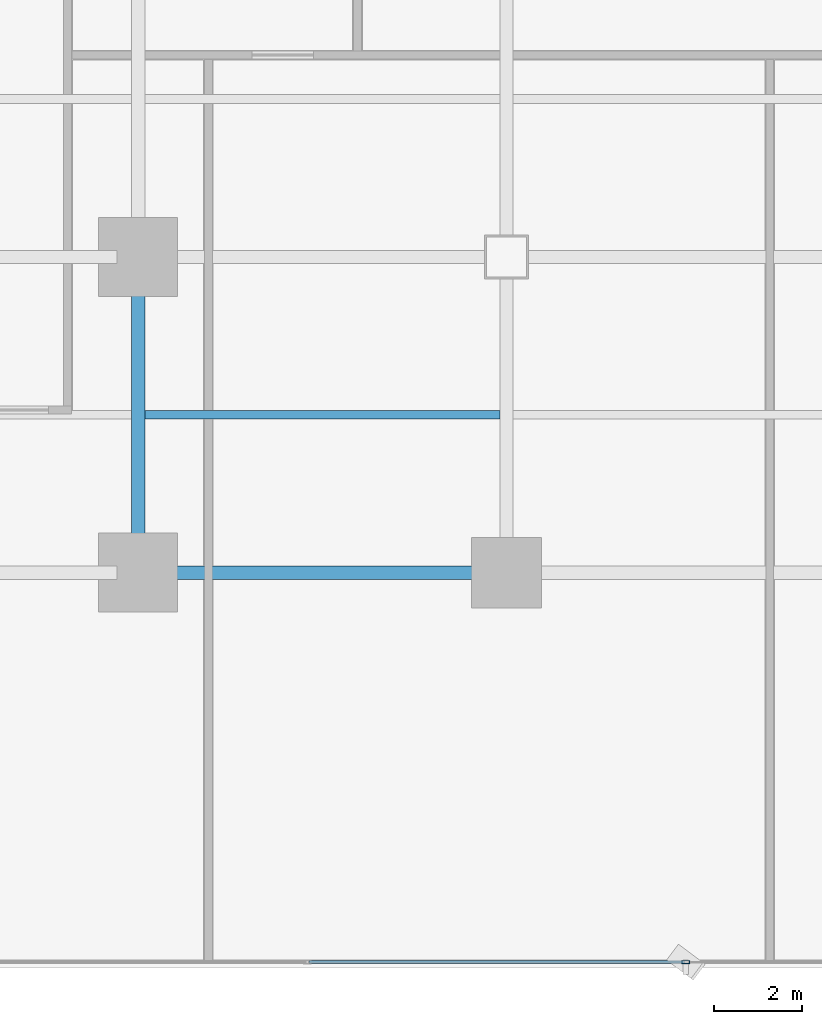
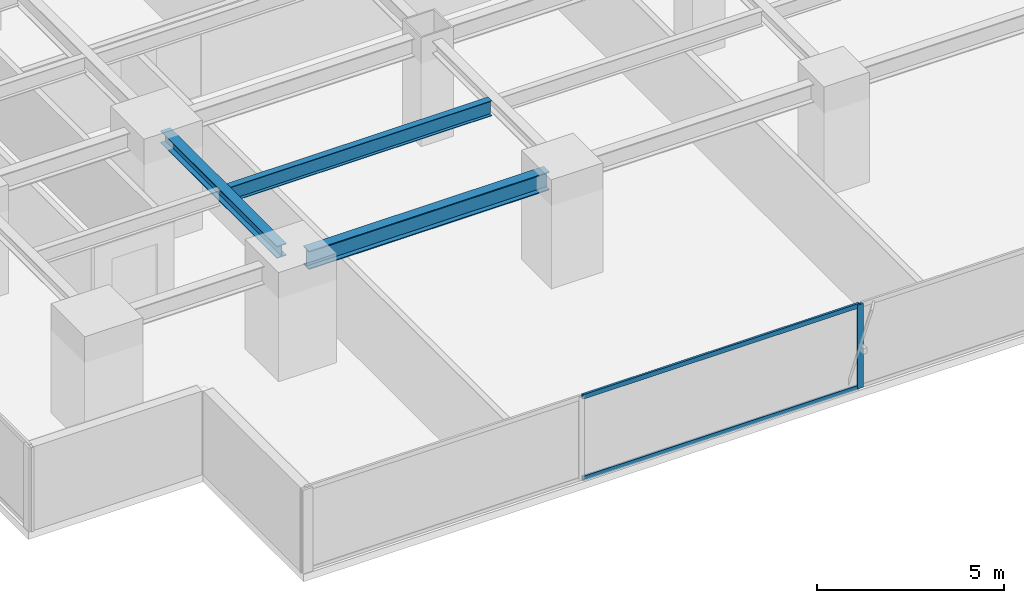
# One storey, part 4 of 33: 3 beams, 3 members, 1 element without a shape of its own.
"""IFC4 building model written with IfcOpenShell, lengths in metres."""

import ifcopenshell
import ifcopenshell.guid

model = None  # the IFC model being written
_history = None  # IfcOwnerHistory: only IFC2X3 demands one
_inside = {}  # id of a spatial element -> (the spatial element, [elements in it])
_under = {}  # id of a project, library or spatial element -> (it, [spatial elements below it])
_declared = {}  # id of a project -> (the project, [libraries it declares])
_typed = {}  # id of a type object -> (the type object, [elements of that type])
_made_of = {}  # id of a material, layer set ... -> (it, [elements and type objects made of it])


def new_model(schema):
    """Start an empty IFC model of exactly this schema.

    Asked for "IFC4X3", IfcOpenShell would pick the latest addendum, in which some entities
    have other attributes; the version numbers below select the first issue.
    IFC2X3 requires an IfcOwnerHistory on every rooted entity: one is made here for all.
    """
    global model, _history
    if schema == "IFC4X3":
        model = ifcopenshell.file(schema_version=(4, 3, 0, 0))
    else:
        model = ifcopenshell.file(schema=schema)
    _inside.clear()
    _under.clear()
    _declared.clear()
    _typed.clear()
    _made_of.clear()
    _history = None
    if model.schema == "IFC2X3":
        org = make("IfcOrganization", Name="unknown")
        user = make(
            "IfcPersonAndOrganization",
            ThePerson=make("IfcPerson", FamilyName="unknown"),
            TheOrganization=org,
        )
        app = make(
            "IfcApplication",
            ApplicationDeveloper=org,
            Version="unknown",
            ApplicationFullName="unknown",
            ApplicationIdentifier="unknown",
        )
        _history = make(
            "IfcOwnerHistory",
            OwningUser=user,
            OwningApplication=app,
            ChangeAction="ADDED",
            CreationDate=0,
        )
    return model


def make(cls, **values):
    """One entity of the class cls with the attributes given. An attribute that is None is left unset."""
    return model.create_entity(
        cls, **{name: value for name, value in values.items() if value is not None}
    )


def rooted(cls, **values):
    """An entity with a GlobalId (a new one), such as an element, a storey or a relation."""
    return make(cls, GlobalId=ifcopenshell.guid.new(), OwnerHistory=_history, **values)


def si_unit(unit_type, name, prefix=None):
    """IfcSIUnit, for example si_unit("LENGTHUNIT", "METRE", prefix="MILLI")."""
    return make("IfcSIUnit", UnitType=unit_type, Prefix=prefix, Name=name)


def assignment(units):
    """IfcUnitAssignment: the units of a project."""
    return None if units is None else make("IfcUnitAssignment", Units=units)


def point(xyz):
    """IfcCartesianPoint."""
    return None if xyz is None else make("IfcCartesianPoint", Coordinates=xyz)


def direction(xyz):
    """IfcDirection."""
    return None if xyz is None else make("IfcDirection", DirectionRatios=xyz)


def frame(location, z_axis=None, x_axis=None):
    """IfcAxis2Placement3D, a coordinate frame: its origin and axes. An axis left out is left unset."""
    return make(
        "IfcAxis2Placement3D",
        Location=point(location),
        Axis=direction(z_axis),
        RefDirection=direction(x_axis),
    )


def frame_2d(location, x_axis=None):
    """IfcAxis2Placement2D, a coordinate frame in the plane: its origin and x axis."""
    return make(
        "IfcAxis2Placement2D", Location=point(location), RefDirection=direction(x_axis)
    )


def origin():
    """The frame at (0, 0, 0) with its axes left unset."""
    return frame((0.0, 0.0, 0.0))


def origin_2d():
    """The frame at (0, 0) in the plane with its x axis left unset."""
    return frame_2d((0.0, 0.0))


def place(relative_to, where):
    """IfcLocalPlacement: puts the frame where relative to a parent placement (None: the world)."""
    return make(
        "IfcLocalPlacement", PlacementRelTo=relative_to, RelativePlacement=where
    )


def context(
    kind, dimensions, precision=None, world=None, true_north=None, identifier=None
):
    """IfcGeometricRepresentationContext, for example the 3D "Model" context."""
    return make(
        "IfcGeometricRepresentationContext",
        ContextIdentifier=identifier,
        ContextType=kind,
        CoordinateSpaceDimension=dimensions,
        Precision=precision,
        WorldCoordinateSystem=world,
        TrueNorth=true_north,
    )


def subcontext(parent, identifier, kind, view, scale=None):
    """IfcGeometricRepresentationSubContext, for example "Body" below "Model"."""
    return make(
        "IfcGeometricRepresentationSubContext",
        ContextIdentifier=identifier,
        ContextType=kind,
        ParentContext=parent,
        TargetScale=scale,
        TargetView=view,
    )


def project(units=None, contexts=None):
    """IfcProject with its units and contexts."""
    return rooted(
        "IfcProject",
        Name="project",
        RepresentationContexts=contexts,
        UnitsInContext=assignment(units),
    )


def spatial(cls, under=None, at=None, **own):
    """A site, building, storey or space (cls), placed at a placement, below another one or the project."""
    s = rooted(cls, ObjectPlacement=at, **own)
    if under is not None:
        _under.setdefault(under.id(), (under, []))[1].append(s)
    return s


def profile(cls, at=None, kind="AREA", **sizes):
    """A parametric profile (cls). Its sizes go by their IFC names, for example OverallWidth=200.0."""
    return make(cls, ProfileType=kind, Position=at, **sizes)


def hollow_rectangle(**sizes):
    """IfcRectangleHollowProfileDef."""
    return profile("IfcRectangleHollowProfileDef", **sizes)


def i_section(**sizes):
    """IfcIShapeProfileDef."""
    return profile("IfcIShapeProfileDef", **sizes)


def extrude(swept, where, along, depth):
    """IfcExtrudedAreaSolid: the profile swept, set in the frame where, extruded along a direction by depth."""
    return make(
        "IfcExtrudedAreaSolid",
        SweptArea=swept,
        Position=where,
        ExtrudedDirection=direction(along),
        Depth=depth,
    )


def shape(context_of_items, identifier, shape_type, items):
    """IfcShapeRepresentation: the items that make up one representation, for example the "Body"."""
    return make(
        "IfcShapeRepresentation",
        ContextOfItems=context_of_items,
        RepresentationIdentifier=identifier,
        RepresentationType=shape_type,
        Items=items,
    )


def source(mapping_origin, context_of_items, identifier, shape_type, items):
    """IfcRepresentationMap: a shape defined once, which mapped items show again and again."""
    return make(
        "IfcRepresentationMap",
        MappingOrigin=mapping_origin,
        MappedRepresentation=shape(context_of_items, identifier, shape_type, items),
    )


def transform(
    local_origin,
    x_axis=None,
    y_axis=None,
    z_axis=None,
    scale=None,
    scale2=None,
    scale3=None,
    uniform=True,
):
    """IfcCartesianTransformationOperator3D, or its non-uniform kind. x_axis, y_axis, z_axis: its Axis1, 2, 3."""
    if uniform:
        return make(
            "IfcCartesianTransformationOperator3D",
            Axis1=direction(x_axis),
            Axis2=direction(y_axis),
            LocalOrigin=point(local_origin),
            Scale=scale,
            Axis3=direction(z_axis),
        )
    return make(
        "IfcCartesianTransformationOperator3DnonUniform",
        Axis1=direction(x_axis),
        Axis2=direction(y_axis),
        LocalOrigin=point(local_origin),
        Scale=scale,
        Axis3=direction(z_axis),
        Scale2=scale2,
        Scale3=scale3,
    )


def mapped(mapping_source, mapping_target):
    """IfcMappedItem: shows the shape of a source again, moved by a transform."""
    return make(
        "IfcMappedItem", MappingSource=mapping_source, MappingTarget=mapping_target
    )


def material(Name=None, Category=None):
    """IfcMaterial."""
    return make("IfcMaterial", Name=Name, Category=Category)


def layer(
    of_material, thickness, ventilated=None, Name=None, Category=None, Priority=None
):
    """IfcMaterialLayer: one layer of a wall or slab, of a material (None: an air gap)."""
    return make(
        "IfcMaterialLayer",
        Material=of_material,
        LayerThickness=thickness,
        IsVentilated=ventilated,
        Name=Name,
        Category=Category,
        Priority=Priority,
    )


def layer_set(layers, Name=None):
    """IfcMaterialLayerSet."""
    return make("IfcMaterialLayerSet", MaterialLayers=layers, LayerSetName=Name)


def material_profile(
    of_material, cross_section, Name=None, Category=None, Priority=None
):
    """IfcMaterialProfile: a cross section and its material."""
    return make(
        "IfcMaterialProfile",
        Name=Name,
        Material=of_material,
        Profile=cross_section,
        Priority=Priority,
        Category=Category,
    )


def profile_set(profiles, Name=None, composite=None):
    """IfcMaterialProfileSet."""
    return make(
        "IfcMaterialProfileSet",
        Name=Name,
        MaterialProfiles=profiles,
        CompositeProfile=composite,
    )


def made_of(thing, what):
    """Note that an element or type object is made of a material, layer set ...; save() writes the relation."""
    if what is not None:
        _made_of.setdefault(what.id(), (what, []))[1].append(thing)
    return thing


def type_object(cls, material=None, **own):
    """A type object (cls), such as IfcWallType, which elements share."""
    return made_of(rooted(cls, **own), material)


def element(
    cls,
    number,
    at=None,
    inside=None,
    cuts=None,
    type_object=None,
    material=None,
    context=None,
    identifier="Body",
    shape_type=None,
    held_by="IfcProductDefinitionShape",
    body=None,
    shapes=None,
    **own,
):
    """One element of the class cls, such as IfcWall. Its Tag is "e" and its number.

    at: its placement. inside: the storey or other place that contains it. cuts: it is an
    opening in that element (IfcRelVoidsElement). A single representation is given by context,
    identifier, shape_type and body (its items); several are given by shapes. held_by: the class
    of the entity that holds the representations. save() writes the other relations.
    """
    e = rooted(cls, Tag="e%d" % number, ObjectPlacement=at, **own)
    if body is not None:
        shapes = [shape(context, identifier, shape_type, body)]
    if shapes is not None:
        e.Representation = make(held_by, Representations=shapes)
    if inside is not None:
        _inside.setdefault(inside.id(), (inside, []))[1].append(e)
    if cuts is not None:
        rooted(
            "IfcRelVoidsElement", RelatingBuildingElement=cuts, RelatedOpeningElement=e
        )
    if type_object is not None:
        _typed.setdefault(type_object.id(), (type_object, []))[1].append(e)
    return made_of(e, material)


def aggregate(whole, parts):
    """IfcRelAggregates: a whole, such as a stair, and the parts it consists of."""
    return rooted("IfcRelAggregates", RelatingObject=whole, RelatedObjects=parts)


def save(model, path):
    """Write the relations noted so far, then the file.

    IfcRelAggregates (storeys below a building ...), IfcRelContainedInSpatialStructure (elements
    in a storey), IfcRelDefinesByType, IfcRelAssociatesMaterial and IfcRelDeclares: one each for
    every whole, place, type object, material and project.
    """
    for whole, parts in _under.values():
        aggregate(whole, parts)
    for where, things in _inside.values():
        rooted(
            "IfcRelContainedInSpatialStructure",
            RelatedElements=things,
            RelatingStructure=where,
        )
    for kind, things in _typed.values():
        rooted("IfcRelDefinesByType", RelatedObjects=things, RelatingType=kind)
    for what, things in _made_of.values():
        rooted("IfcRelAssociatesMaterial", RelatedObjects=things, RelatingMaterial=what)
    for by, libraries in _declared.values():
        rooted("IfcRelDeclares", RelatingContext=by, RelatedDefinitions=libraries)
    model.write(path)


model = new_model("IFC4")

# Units and contexts
model_context = context("Model", 3, precision=1e-05, world=origin(), true_north=direction((0.0, 1.0)))
body_context = subcontext(model_context, "Body", "Model", "MODEL_VIEW")
ifc_project = project(units=[si_unit("LENGTHUNIT", "METRE"), si_unit("AREAUNIT", "SQUARE_METRE"), si_unit("VOLUMEUNIT", "CUBIC_METRE"), si_unit("PLANEANGLEUNIT", "RADIAN"), si_unit("MASSUNIT", "GRAM", prefix="KILO")], contexts=[model_context])

# Site, building, storey
site_placement = place(None, origin())
site = spatial("IfcSite", under=ifc_project, at=site_placement, CompositionType="ELEMENT")
building_placement = place(site_placement, origin())
building = spatial("IfcBuilding", under=site, at=building_placement, Name="Sumidabori Civic Tower", CompositionType="ELEMENT")
storey_placement = place(building_placement, frame((0.0, 0.0, 63.199951171875)))
storey = spatial("IfcBuildingStorey", under=building, at=storey_placement, Name="L16", CompositionType="ELEMENT", Elevation=63.199951171875)

# Beams
ifc_material_1 = material(Name="Steel SN490", Category="steel")
ifc_material_profile_1 = material_profile(ifc_material_1, i_section(OverallWidth=0.300048828125, OverallDepth=0.60009765625, WebThickness=0.015380859375, FlangeThickness=0.030029296875, at=origin_2d()), Name="HE 600 B")
ifc_profile_set_1 = profile_set([ifc_material_profile_1], Name="Steel SN490")
beam_type_1 = type_object("IfcBeamType", Name="BM-GIRD-600", PredefinedType="BEAM", material=ifc_profile_set_1)
shared_shape_1 = source(origin(), body_context, "Body", "SweptSolid", [
    extrude(i_section(OverallWidth=0.300048828125, OverallDepth=0.60009765625, WebThickness=0.015380859375, FlangeThickness=0.030029296875, at=origin_2d()), origin(), (0.0, 0.0, 1.0), 7.440185546875),
])
beam_1_placement = place(storey_placement, frame((-16.320068359375, -18.0, 3.06005859375), z_axis=(1.0, 0.0, 0.0), x_axis=(0.0, 1.0, 0.0)))
element("IfcBeam", 1, at=beam_1_placement, inside=storey, type_object=beam_type_1, Name="Primary Girder L16 GX-02", PredefinedType="BEAM", context=body_context, shape_type="MappedRepresentation", body=[
    mapped(shared_shape_1, transform((0.0, 0.0, 0.0), x_axis=(1.0, 0.0, 0.0), y_axis=(0.0, 1.0, 0.0), z_axis=(0.0, 0.0, 1.0), scale=1.0)),
])
ifc_material_profile_2 = material_profile(ifc_material_1, i_section(OverallWidth=0.300048828125, OverallDepth=0.39990234375, WebThickness=0.013427734375, FlangeThickness=0.02392578125, at=origin_2d()), Name="HE 400 B")
ifc_profile_set_2 = profile_set([ifc_material_profile_2], Name="Steel SN490")
beam_type_2 = type_object("IfcBeamType", Name="BM-GIRD-400", PredefinedType="BEAM", material=ifc_profile_set_2)
shared_shape_2 = source(origin(), body_context, "Body", "SweptSolid", [
    extrude(i_section(OverallWidth=0.300048828125, OverallDepth=0.39990234375, WebThickness=0.013427734375, FlangeThickness=0.02392578125, at=origin_2d()), origin(), (0.0, 0.0, 1.0), 6.239990234375),
])
beam_2_placement = place(storey_placement, frame((-16.800048828125, -17.52001953125, 3.16015625), z_axis=(0.0, 1.0, 0.0), x_axis=(-1.0, 0.0, 0.0)))
element("IfcBeam", 2, at=beam_2_placement, inside=storey, type_object=beam_type_2, Name="Primary Girder L16 GY-25", PredefinedType="BEAM", context=body_context, shape_type="MappedRepresentation", body=[
    mapped(shared_shape_2, transform((0.0, 0.0, 0.0), x_axis=(1.0, 0.0, 0.0), y_axis=(0.0, 1.0, 0.0), z_axis=(0.0, 0.0, 1.0), scale=1.0)),
])
ifc_material_profile_3 = material_profile(ifc_material_1, i_section(OverallWidth=0.199951171875, OverallDepth=0.5, WebThickness=0.01025390625, FlangeThickness=0.01611328125, at=origin_2d()), Name="IPE 500")
ifc_profile_set_3 = profile_set([ifc_material_profile_3], Name="Steel SN490")
beam_type_3 = type_object("IfcBeamType", Name="BM-JST-500", PredefinedType="JOIST", material=ifc_profile_set_3)
shared_shape_3 = source(origin(), body_context, "Body", "SweptSolid", [
    extrude(i_section(OverallWidth=0.199951171875, OverallDepth=0.5, WebThickness=0.01025390625, FlangeThickness=0.01611328125, at=origin_2d()), origin(), (0.0, 0.0, 1.0), 8.099853515625),
])
beam_3_placement = place(storey_placement, frame((-16.64990234375, -14.39990234375, 3.110107421875), z_axis=(1.0, 0.0, 0.0), x_axis=(0.0, 1.0, 0.0)))
element("IfcBeam", 3, at=beam_3_placement, inside=storey, type_object=beam_type_3, Name="South Bay Floor Joist L16 JSTS-61", PredefinedType="JOIST", context=body_context, shape_type="MappedRepresentation", body=[
    mapped(shared_shape_3, transform((0.0, 0.0, 0.0), x_axis=(1.0, 0.0, 0.0), y_axis=(0.0, 1.0, 0.0), z_axis=(0.0, 0.0, 1.0), scale=1.0)),
])

# Curtain wall, members
ifc_material_2 = material(Name="Anodised Bronze Aluminium AW-6063-T6", Category="aluminium")
ifc_layer = layer(ifc_material_2, 0.179931640625, Name="Anodised Bronze Aluminium AW-6063-T6")
ifc_layer_set = layer_set([ifc_layer], Name="Anodised Bronze Aluminium AW-6063-T6")
curtain_wall_type = type_object("IfcCurtainWallType", Name="CW-SYS-2", PredefinedType="NOTDEFINED", material=ifc_layer_set)
curtain_wall_placement = place(storey_placement, origin())
curtain_wall = element("IfcCurtainWall", 4, at=curtain_wall_placement, inside=storey, type_object=curtain_wall_type, Name="Curtain Wall CW:L16:R01", PredefinedType="NOTDEFINED")
ifc_material_profile_4 = material_profile(ifc_material_2, hollow_rectangle(XDim=0.070068359375, YDim=0.179931640625, WallThickness=0.006103515625, at=origin_2d()), Name="ALU MULLION 180x70")
ifc_profile_set_4 = profile_set([ifc_material_profile_4], Name="Anodised Bronze Aluminium AW-6063-T6")
member_type_1 = type_object("IfcMemberType", Name="CW-MUL-180", PredefinedType="MULLION", material=ifc_profile_set_4)
shared_shape_4 = source(origin(), body_context, "Body", "SweptSolid", [
    extrude(hollow_rectangle(XDim=0.070068359375, YDim=0.179931640625, WallThickness=0.006103515625, at=origin_2d()), origin(), (0.0, 0.0, 1.0), 2.739990234375),
])
member_1_placement = place(storey_placement, frame((-4.31396484375, -26.8798828125, 0.0), z_axis=(0.0, 0.0, 1.0), x_axis=(0.0, 1.0, 0.0)))
member_1 = element("IfcMember", 5, at=member_1_placement, type_object=member_type_1, Name="CW-2 mullion 3", PredefinedType="MULLION", context=body_context, shape_type="MappedRepresentation", body=[
    mapped(shared_shape_4, transform((0.0, 0.0, 0.0), x_axis=(1.0, 0.0, 0.0), y_axis=(0.0, 1.0, 0.0), z_axis=(0.0, 0.0, 1.0), scale=1.0)),
])
ifc_material_profile_5 = material_profile(ifc_material_2, hollow_rectangle(XDim=0.06494140625, YDim=0.14990234375, WallThickness=0.0048828125, at=origin_2d()), Name="ALU TRANSOM 150x65")
ifc_profile_set_5 = profile_set([ifc_material_profile_5], Name="Anodised Bronze Aluminium AW-6063-T6")
member_type_2 = type_object("IfcMemberType", Name="CW-TRN-150", PredefinedType="USERDEFINED", material=ifc_profile_set_5)
shared_shape_5 = source(origin(), body_context, "Body", "SweptSolid", [
    extrude(hollow_rectangle(XDim=0.06494140625, YDim=0.14990234375, WallThickness=0.0048828125, at=origin_2d()), origin(), (0.0, 0.0, 1.0), 8.557861328125),
])
member_2_placement = place(storey_placement, frame((-12.906982421875, -26.8798828125, 0.032470703125), z_axis=(1.0, 0.0, 0.0), x_axis=(0.0, 1.0, 0.0)))
member_2 = element("IfcMember", 6, at=member_2_placement, type_object=member_type_2, Name="CW-2 transom 2.1", ObjectType="TRANSOM", PredefinedType="USERDEFINED", context=body_context, shape_type="MappedRepresentation", body=[
    mapped(shared_shape_5, transform((0.0, 0.0, 0.0), x_axis=(1.0, 0.0, 0.0), y_axis=(0.0, 1.0, 0.0), z_axis=(0.0, 0.0, 1.0), scale=1.0)),
])
member_3_placement = place(storey_placement, frame((-12.906982421875, -26.8798828125, 2.70751953125), z_axis=(1.0, 0.0, 0.0), x_axis=(0.0, 1.0, 0.0)))
member_3 = element("IfcMember", 7, at=member_3_placement, type_object=member_type_2, Name="CW-2 transom 2.2", ObjectType="TRANSOM", PredefinedType="USERDEFINED", context=body_context, shape_type="MappedRepresentation", body=[
    mapped(shared_shape_5, transform((0.0, 0.0, 0.0), x_axis=(1.0, 0.0, 0.0), y_axis=(0.0, 1.0, 0.0), z_axis=(0.0, 0.0, 1.0), scale=1.0)),
])
aggregate(curtain_wall, [member_1, member_2, member_3])

save(model, "model.ifc")
